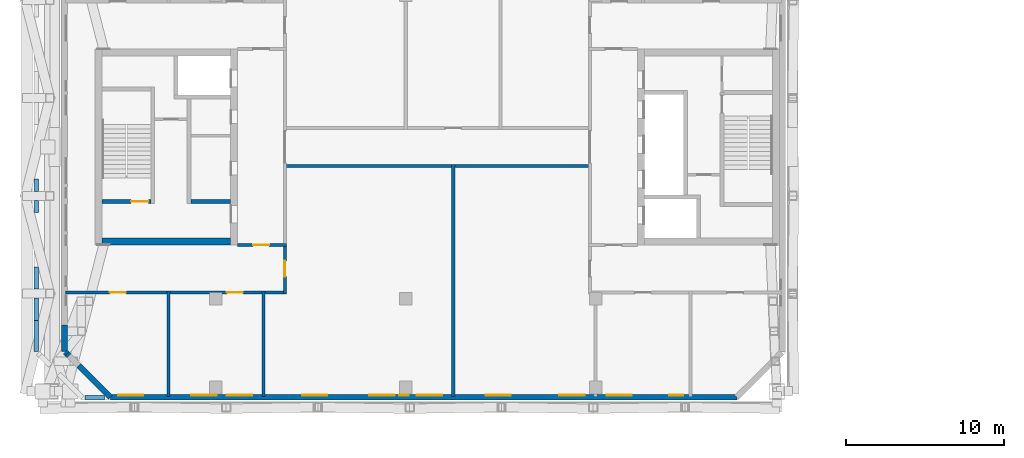
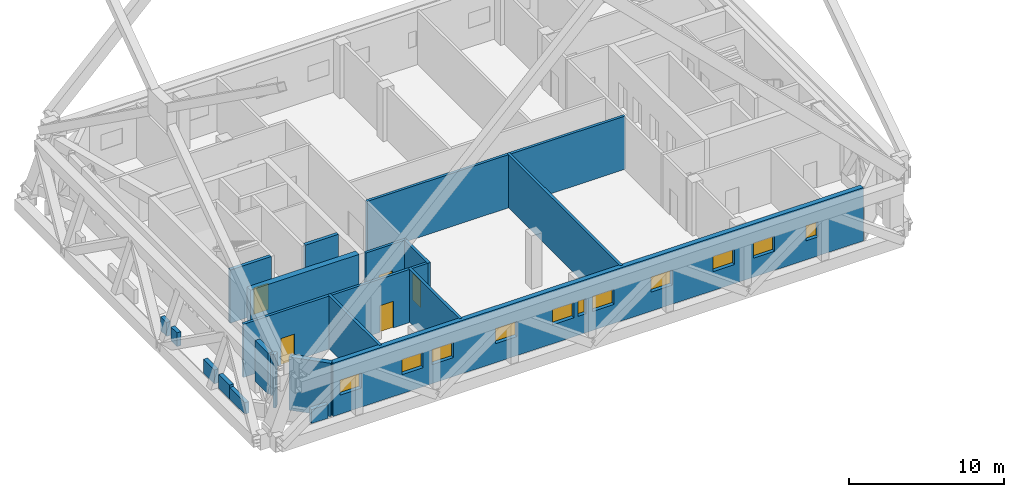
# One storey, part 7 of 20: 21 walls, 11 windows, 5 doors, 16 openings.
"""IFC4 building model written with IfcOpenShell, lengths in metres."""

from ifc_helpers import new_model, si_unit, direction, frame, frame_2d, origin, place, context, subcontext, project, spatial, rectangle, extrude, material, layer, layer_set, type_object, element, fill, save


model = new_model("IFC4")

# Units and contexts
model_context = context("Model", 3, precision=1e-05, world=origin(), true_north=direction((0.0, 1.0)))
body_context = subcontext(model_context, "Body", "Model", "MODEL_VIEW")
ifc_project = project(units=[si_unit("LENGTHUNIT", "METRE"), si_unit("AREAUNIT", "SQUARE_METRE"), si_unit("VOLUMEUNIT", "CUBIC_METRE"), si_unit("PLANEANGLEUNIT", "RADIAN"), si_unit("MASSUNIT", "GRAM", prefix="KILO")], contexts=[model_context])

# Site, building, storey
site_placement = place(None, origin())
site = spatial("IfcSite", under=ifc_project, at=site_placement, CompositionType="ELEMENT")
building_placement = place(site_placement, origin())
building = spatial("IfcBuilding", under=site, at=building_placement, Name="Tuart Gate Housing", CompositionType="ELEMENT")
storey_placement = place(building_placement, frame((0.0, 0.0, 167.10009765625)))
storey = spatial("IfcBuildingStorey", under=building, at=storey_placement, Name="L47", CompositionType="ELEMENT", Elevation=167.10009765625)

# Walls
ifc_material_1 = material(Name="Brick", Category="masonry")
ifc_layer_1 = layer(ifc_material_1, 0.300048828125)
ifc_layer_set_1 = layer_set([ifc_layer_1], Name="Brick parapet wall 300")
wall_type_1 = type_object("IfcWallType", Name="Brick parapet wall 300", PredefinedType="PARAPET", material=ifc_layer_set_1)
for number, where, z_axis, x_axis, name in (
    (1, (28.64990234375, 67.96826171875, 0.0), (0.0, 0.0, 1.0), (0.0, -1.0, 0.0), "Roof parapet A 3"),
    (2, (28.64990234375, 66.626953125, 0.0), (0.0, 0.0, 1.0), (0.0, -1.0, 0.0), "Roof parapet A 3"),
):
    element("IfcWall", number, at=place(storey_placement, frame(where, z_axis=z_axis, x_axis=x_axis)), inside=storey, type_object=wall_type_1, Name=name, PredefinedType="PARAPET", context=body_context, shape_type="SweptSolid", body=[
        extrude(rectangle(XDim=0.775146484375, YDim=0.300048828125, at=frame_2d((0.3876953125, 0.0))), origin(), (0.0, 0.0, 1.0), 1.099853515625),
    ])
for number, where, z_axis, x_axis, name in (
    (3, (28.64990234375, 62.416015625, 0.0), (0.0, 0.0, 1.0), (0.0, -1.0, 0.0), "Roof parapet A 3"),
    (4, (28.64990234375, 60.447021484375, 0.0), (0.0, 0.0, 1.0), (0.0, -1.0, 0.0), "Roof parapet A 3"),
):
    element("IfcWall", number, at=place(storey_placement, frame(where, z_axis=z_axis, x_axis=x_axis)), inside=storey, type_object=wall_type_1, Name=name, PredefinedType="PARAPET", context=body_context, shape_type="SweptSolid", body=[
        extrude(rectangle(XDim=1.403076171875, YDim=0.300048828125, at=frame_2d((0.70166015625, 0.0))), origin(), (0.0, 0.0, 1.0), 1.099853515625),
    ])
wall_1_placement = place(storey_placement, frame((28.64990234375, 59.0439453125, 0.0), z_axis=(0.0, 0.0, 1.0), x_axis=(0.0, -1.0, 0.0)))
element("IfcWall", 5, at=wall_1_placement, inside=storey, type_object=wall_type_1, Name="Roof parapet A 3", PredefinedType="PARAPET", context=body_context, shape_type="SweptSolid", body=[
    extrude(rectangle(XDim=1.98193359375, YDim=0.300048828125, at=frame_2d((0.990966796875, 0.0))), origin(), (0.0, 0.0, 1.0), 0.916259765625),
])
wall_2_placement = place(storey_placement, frame((31.714111328125, 54.14990234375, 0.0), z_axis=(0.0, 0.0, 1.0), x_axis=(1.0, 0.0, 0.0)))
element("IfcWall", 6, at=wall_2_placement, inside=storey, type_object=wall_type_1, Name="Roof parapet A 5", PredefinedType="PARAPET", context=body_context, shape_type="SweptSolid", body=[
    extrude(rectangle(XDim=1.23583984375, YDim=0.300048828125, at=frame_2d((0.617919921875, 0.0))), origin(), (0.0, 0.0, 1.0), 1.099853515625),
])
ifc_material_2 = material(Name="Brick", Category="masonry")
ifc_layer_2 = layer(ifc_material_2, 0.360107421875)
ifc_layer_set_2 = layer_set([ifc_layer_2], Name="Brick pier and spandrel wall 360")
wall_type_2 = type_object("IfcWallType", Name="Brick pier and spandrel wall 360", PredefinedType="STANDARD", material=ifc_layer_set_2)
wall_3_placement = place(storey_placement, frame((30.46533203125, 57.039306640625, 0.952880859375), z_axis=(0.0, 0.0, 1.0), x_axis=(0.707106781187, -0.707106781187, 0.0)))
element("IfcWall", 7, at=wall_3_placement, inside=storey, type_object=wall_type_2, Name="External wall A-SW L47", PredefinedType="STANDARD", context=body_context, shape_type="SweptSolid", body=[
    extrude(rectangle(XDim=0.158203125, YDim=0.360107421875, at=frame_2d((0.0791015625, 0.0))), origin(), (0.0, 0.0, 1.0), 3.2470703125),
])
wall_4_placement = place(storey_placement, frame((30.5771484375, 56.927490234375, 0.0), z_axis=(0.0, 0.0, 1.0), x_axis=(0.707106781187, -0.707106781187, 0.0)))
element("IfcWall", 8, at=wall_4_placement, inside=storey, type_object=wall_type_2, Name="External wall A-SW L47", PredefinedType="STANDARD", context=body_context, shape_type="SweptSolid", body=[
    extrude(rectangle(XDim=0.19091796875, YDim=0.360107421875, at=frame_2d((0.095458984375, 0.0))), origin(), (0.0, 0.0, 1.0), 4.199951171875),
])
wall_5_placement = place(storey_placement, frame((31.332763671875, 56.171875, 0.0), z_axis=(0.0, 0.0, 1.0), x_axis=(0.707106781187, -0.707106781187, 0.0)))
element("IfcWall", 9, at=wall_5_placement, inside=storey, type_object=wall_type_2, Name="External wall A-SW L47", PredefinedType="STANDARD", context=body_context, shape_type="SweptSolid", body=[
    extrude(rectangle(XDim=2.817138671875, YDim=0.360107421875, at=frame_2d((1.40869140625, 0.0))), origin(), (0.0, 0.0, 1.0), 4.199951171875),
])

# Wall, openings, windows
wall_6_placement = place(storey_placement, frame((33.32470703125, 54.179931640625, 0.0), z_axis=(0.0, 0.0, 1.0), x_axis=(1.0, 0.0, 0.0)))
wall_6 = element("IfcWall", 10, at=wall_6_placement, inside=storey, type_object=wall_type_2, Name="External wall A-S L47", PredefinedType="STANDARD", context=body_context, shape_type="SweptSolid", body=[
    extrude(rectangle(XDim=39.600830078125, YDim=0.360107421875, at=frame_2d((19.80029296875, 0.0))), origin(), (0.0, 0.0, 1.0), 4.199951171875),
])
opening_1_placement = place(wall_6_placement, frame((0.5, 0.0, 1.5)))
opening_1 = element("IfcOpeningElement", 11, at=opening_1_placement, cuts=wall_6, Name="Opening W3", PredefinedType="OPENING", context=body_context, shape_type="SweptSolid", body=[
    extrude(rectangle(XDim=1.60009765625, YDim=1.199951171875, at=frame_2d((0.800048828125, 0.60009765625))), frame((0.0, 0.18994140625, 0.0), z_axis=(0.0, -1.0, 0.0), x_axis=(1.0, 0.0, 0.0)), (0.0, 0.0, 1.0), 0.380126953125),
])
opening_2_placement = place(wall_6_placement, frame((5.12548828125, 0.0, 1.5)))
opening_2 = element("IfcOpeningElement", 12, at=opening_2_placement, cuts=wall_6, Name="Opening W3", PredefinedType="OPENING", context=body_context, shape_type="SweptSolid", body=[
    extrude(rectangle(XDim=1.60009765625, YDim=1.199951171875, at=frame_2d((0.800048828125, 0.60009765625))), frame((0.0, 0.18994140625, 0.0), z_axis=(0.0, -1.0, 0.0), x_axis=(1.0, 0.0, 0.0)), (0.0, 0.0, 1.0), 0.380126953125),
])
opening_3_placement = place(wall_6_placement, frame((7.37548828125, 0.0, 1.5)))
opening_3 = element("IfcOpeningElement", 13, at=opening_3_placement, cuts=wall_6, Name="Opening W3", PredefinedType="OPENING", context=body_context, shape_type="SweptSolid", body=[
    extrude(rectangle(XDim=1.60009765625, YDim=1.199951171875, at=frame_2d((0.800048828125, 0.60009765625))), frame((0.0, 0.18994140625, 0.0), z_axis=(0.0, -1.0, 0.0), x_axis=(1.0, 0.0, 0.0)), (0.0, 0.0, 1.0), 0.380126953125),
])
opening_4_placement = place(wall_6_placement, frame((12.12548828125, 0.0, 1.5)))
opening_4 = element("IfcOpeningElement", 14, at=opening_4_placement, cuts=wall_6, Name="Opening W3", PredefinedType="OPENING", context=body_context, shape_type="SweptSolid", body=[
    extrude(rectangle(XDim=1.60009765625, YDim=1.199951171875, at=frame_2d((0.800048828125, 0.60009765625))), frame((0.0, 0.18994140625, 0.0), z_axis=(0.0, -1.0, 0.0), x_axis=(1.0, 0.0, 0.0)), (0.0, 0.0, 1.0), 0.380126953125),
])
opening_5_placement = place(wall_6_placement, frame((18.275390625, 0.0, 1.5)))
opening_5 = element("IfcOpeningElement", 15, at=opening_5_placement, cuts=wall_6, Name="Opening W3C", PredefinedType="OPENING", context=body_context, shape_type="SweptSolid", body=[
    extrude(rectangle(XDim=0.60009765625, YDim=1.199951171875, at=frame_2d((0.300048828125, 0.60009765625))), frame((0.0, 0.18994140625, 0.0), z_axis=(0.0, -1.0, 0.0), x_axis=(1.0, 0.0, 0.0)), (0.0, 0.0, 1.0), 0.380126953125),
])
opening_6_placement = place(wall_6_placement, frame((16.37548828125, 0.0, 1.5)))
opening_6 = element("IfcOpeningElement", 16, at=opening_6_placement, cuts=wall_6, Name="Opening W3", PredefinedType="OPENING", context=body_context, shape_type="SweptSolid", body=[
    extrude(rectangle(XDim=1.60009765625, YDim=1.199951171875, at=frame_2d((0.800048828125, 0.60009765625))), frame((0.0, 0.18994140625, 0.0), z_axis=(0.0, -1.0, 0.0), x_axis=(1.0, 0.0, 0.0)), (0.0, 0.0, 1.0), 0.380126953125),
])
opening_7_placement = place(wall_6_placement, frame((19.37548828125, 0.0, 1.5)))
opening_7 = element("IfcOpeningElement", 17, at=opening_7_placement, cuts=wall_6, Name="Opening W3", PredefinedType="OPENING", context=body_context, shape_type="SweptSolid", body=[
    extrude(rectangle(XDim=1.60009765625, YDim=1.199951171875, at=frame_2d((0.800048828125, 0.60009765625))), frame((0.0, 0.18994140625, 0.0), z_axis=(0.0, -1.0, 0.0), x_axis=(1.0, 0.0, 0.0)), (0.0, 0.0, 1.0), 0.380126953125),
])
opening_8_placement = place(wall_6_placement, frame((23.725341796875, 0.0, 1.5)))
opening_8 = element("IfcOpeningElement", 18, at=opening_8_placement, cuts=wall_6, Name="Opening W3", PredefinedType="OPENING", context=body_context, shape_type="SweptSolid", body=[
    extrude(rectangle(XDim=1.60009765625, YDim=1.199951171875, at=frame_2d((0.800048828125, 0.60009765625))), frame((0.0, 0.18994140625, 0.0), z_axis=(0.0, -1.0, 0.0), x_axis=(1.0, 0.0, 0.0)), (0.0, 0.0, 1.0), 0.380126953125),
])
opening_9_placement = place(wall_6_placement, frame((28.37548828125, 0.0, 1.5)))
opening_9 = element("IfcOpeningElement", 19, at=opening_9_placement, cuts=wall_6, Name="Opening W3", PredefinedType="OPENING", context=body_context, shape_type="SweptSolid", body=[
    extrude(rectangle(XDim=1.60009765625, YDim=1.199951171875, at=frame_2d((0.800048828125, 0.60009765625))), frame((0.0, 0.18994140625, 0.0), z_axis=(0.0, -1.0, 0.0), x_axis=(1.0, 0.0, 0.0)), (0.0, 0.0, 1.0), 0.380126953125),
])
opening_10_placement = place(wall_6_placement, frame((31.37548828125, 0.0, 1.5)))
opening_10 = element("IfcOpeningElement", 20, at=opening_10_placement, cuts=wall_6, Name="Opening W3", PredefinedType="OPENING", context=body_context, shape_type="SweptSolid", body=[
    extrude(rectangle(XDim=1.60009765625, YDim=1.199951171875, at=frame_2d((0.800048828125, 0.60009765625))), frame((0.0, 0.18994140625, 0.0), z_axis=(0.0, -1.0, 0.0), x_axis=(1.0, 0.0, 0.0)), (0.0, 0.0, 1.0), 0.380126953125),
])
opening_11_placement = place(wall_6_placement, frame((35.325439453125, 0.0, 1.5)))
opening_11 = element("IfcOpeningElement", 21, at=opening_11_placement, cuts=wall_6, Name="Opening W3B", PredefinedType="OPENING", context=body_context, shape_type="SweptSolid", body=[
    extrude(rectangle(XDim=0.89990234375, YDim=1.199951171875, at=frame_2d((0.449951171875, 0.60009765625))), frame((0.0, 0.18994140625, 0.0), z_axis=(0.0, -1.0, 0.0), x_axis=(1.0, 0.0, 0.0)), (0.0, 0.0, 1.0), 0.380126953125),
])
ifc_material_3 = material(Name="Aluminium louvre blades", Category="aluminium")
window_type_1 = type_object("IfcWindowType", Name="Louvre window 1600 x 1200", PartitioningType="DOUBLE_PANEL_HORIZONTAL", PredefinedType="WINDOW", material=ifc_material_3)
window_1_placement = place(opening_1_placement, origin())
window_1 = element("IfcWindow", 22, at=window_1_placement, inside=storey, type_object=window_type_1, Name="Louvre W3", OverallHeight=1.199951171875, OverallWidth=1.60009765625, PartitioningType="DOUBLE_PANEL_HORIZONTAL", PredefinedType="WINDOW", context=body_context, shape_type="SweptSolid", body=[
    extrude(rectangle(XDim=1.60009765625, YDim=1.199951171875, at=frame_2d((0.800048828125, 0.60009765625))), frame((0.0, 0.150146484375, 0.0), z_axis=(0.0, -1.0, 0.0), x_axis=(1.0, 0.0, 0.0)), (0.0, 0.0, 1.0), 0.06005859375),
])
fill(opening_1, window_1)
window_2_placement = place(opening_2_placement, origin())
window_2 = element("IfcWindow", 23, at=window_2_placement, inside=storey, type_object=window_type_1, Name="Louvre W3", OverallHeight=1.199951171875, OverallWidth=1.60009765625, PartitioningType="DOUBLE_PANEL_HORIZONTAL", PredefinedType="WINDOW", context=body_context, shape_type="SweptSolid", body=[
    extrude(rectangle(XDim=1.60009765625, YDim=1.199951171875, at=frame_2d((0.800048828125, 0.60009765625))), frame((0.0, 0.150146484375, 0.0), z_axis=(0.0, -1.0, 0.0), x_axis=(1.0, 0.0, 0.0)), (0.0, 0.0, 1.0), 0.06005859375),
])
fill(opening_2, window_2)
window_3_placement = place(opening_3_placement, origin())
window_3 = element("IfcWindow", 24, at=window_3_placement, inside=storey, type_object=window_type_1, Name="Louvre W3", OverallHeight=1.199951171875, OverallWidth=1.60009765625, PartitioningType="DOUBLE_PANEL_HORIZONTAL", PredefinedType="WINDOW", context=body_context, shape_type="SweptSolid", body=[
    extrude(rectangle(XDim=1.60009765625, YDim=1.199951171875, at=frame_2d((0.800048828125, 0.60009765625))), frame((0.0, 0.150146484375, 0.0), z_axis=(0.0, -1.0, 0.0), x_axis=(1.0, 0.0, 0.0)), (0.0, 0.0, 1.0), 0.06005859375),
])
fill(opening_3, window_3)
window_4_placement = place(opening_4_placement, origin())
window_4 = element("IfcWindow", 25, at=window_4_placement, inside=storey, type_object=window_type_1, Name="Louvre W3", OverallHeight=1.199951171875, OverallWidth=1.60009765625, PartitioningType="DOUBLE_PANEL_HORIZONTAL", PredefinedType="WINDOW", context=body_context, shape_type="SweptSolid", body=[
    extrude(rectangle(XDim=1.60009765625, YDim=1.199951171875, at=frame_2d((0.800048828125, 0.60009765625))), frame((0.0, 0.150146484375, 0.0), z_axis=(0.0, -1.0, 0.0), x_axis=(1.0, 0.0, 0.0)), (0.0, 0.0, 1.0), 0.06005859375),
])
fill(opening_4, window_4)
window_5_placement = place(opening_6_placement, origin())
window_5 = element("IfcWindow", 26, at=window_5_placement, inside=storey, type_object=window_type_1, Name="Louvre W3", OverallHeight=1.199951171875, OverallWidth=1.60009765625, PartitioningType="DOUBLE_PANEL_HORIZONTAL", PredefinedType="WINDOW", context=body_context, shape_type="SweptSolid", body=[
    extrude(rectangle(XDim=1.60009765625, YDim=1.199951171875, at=frame_2d((0.800048828125, 0.60009765625))), frame((0.0, 0.150146484375, 0.0), z_axis=(0.0, -1.0, 0.0), x_axis=(1.0, 0.0, 0.0)), (0.0, 0.0, 1.0), 0.06005859375),
])
fill(opening_6, window_5)
window_6_placement = place(opening_7_placement, origin())
window_6 = element("IfcWindow", 27, at=window_6_placement, inside=storey, type_object=window_type_1, Name="Louvre W3", OverallHeight=1.199951171875, OverallWidth=1.60009765625, PartitioningType="DOUBLE_PANEL_HORIZONTAL", PredefinedType="WINDOW", context=body_context, shape_type="SweptSolid", body=[
    extrude(rectangle(XDim=1.60009765625, YDim=1.199951171875, at=frame_2d((0.800048828125, 0.60009765625))), frame((0.0, 0.150146484375, 0.0), z_axis=(0.0, -1.0, 0.0), x_axis=(1.0, 0.0, 0.0)), (0.0, 0.0, 1.0), 0.06005859375),
])
fill(opening_7, window_6)
window_7_placement = place(opening_8_placement, origin())
window_7 = element("IfcWindow", 28, at=window_7_placement, inside=storey, type_object=window_type_1, Name="Louvre W3", OverallHeight=1.199951171875, OverallWidth=1.60009765625, PartitioningType="DOUBLE_PANEL_HORIZONTAL", PredefinedType="WINDOW", context=body_context, shape_type="SweptSolid", body=[
    extrude(rectangle(XDim=1.60009765625, YDim=1.199951171875, at=frame_2d((0.800048828125, 0.60009765625))), frame((0.0, 0.150146484375, 0.0), z_axis=(0.0, -1.0, 0.0), x_axis=(1.0, 0.0, 0.0)), (0.0, 0.0, 1.0), 0.06005859375),
])
fill(opening_8, window_7)
window_8_placement = place(opening_9_placement, origin())
window_8 = element("IfcWindow", 29, at=window_8_placement, inside=storey, type_object=window_type_1, Name="Louvre W3", OverallHeight=1.199951171875, OverallWidth=1.60009765625, PartitioningType="DOUBLE_PANEL_HORIZONTAL", PredefinedType="WINDOW", context=body_context, shape_type="SweptSolid", body=[
    extrude(rectangle(XDim=1.60009765625, YDim=1.199951171875, at=frame_2d((0.800048828125, 0.60009765625))), frame((0.0, 0.150146484375, 0.0), z_axis=(0.0, -1.0, 0.0), x_axis=(1.0, 0.0, 0.0)), (0.0, 0.0, 1.0), 0.06005859375),
])
fill(opening_9, window_8)
window_9_placement = place(opening_10_placement, origin())
window_9 = element("IfcWindow", 30, at=window_9_placement, inside=storey, type_object=window_type_1, Name="Louvre W3", OverallHeight=1.199951171875, OverallWidth=1.60009765625, PartitioningType="DOUBLE_PANEL_HORIZONTAL", PredefinedType="WINDOW", context=body_context, shape_type="SweptSolid", body=[
    extrude(rectangle(XDim=1.60009765625, YDim=1.199951171875, at=frame_2d((0.800048828125, 0.60009765625))), frame((0.0, 0.150146484375, 0.0), z_axis=(0.0, -1.0, 0.0), x_axis=(1.0, 0.0, 0.0)), (0.0, 0.0, 1.0), 0.06005859375),
])
fill(opening_10, window_9)
ifc_material_4 = material(Name="Aluminium louvre blades", Category="aluminium")
window_type_2 = type_object("IfcWindowType", Name="Louvre window 600 x 1200", PartitioningType="DOUBLE_PANEL_HORIZONTAL", PredefinedType="WINDOW", material=ifc_material_4)
window_10_placement = place(opening_5_placement, origin())
window_10 = element("IfcWindow", 31, at=window_10_placement, inside=storey, type_object=window_type_2, Name="Louvre W3C", OverallHeight=1.199951171875, OverallWidth=0.60009765625, PartitioningType="DOUBLE_PANEL_HORIZONTAL", PredefinedType="WINDOW", context=body_context, shape_type="SweptSolid", body=[
    extrude(rectangle(XDim=0.60009765625, YDim=1.199951171875, at=frame_2d((0.300048828125, 0.60009765625))), frame((0.0, 0.150146484375, 0.0), z_axis=(0.0, -1.0, 0.0), x_axis=(1.0, 0.0, 0.0)), (0.0, 0.0, 1.0), 0.06005859375),
])
fill(opening_5, window_10)
ifc_material_5 = material(Name="Aluminium louvre blades", Category="aluminium")
window_type_3 = type_object("IfcWindowType", Name="Louvre window 900 x 1200", PartitioningType="DOUBLE_PANEL_HORIZONTAL", PredefinedType="WINDOW", material=ifc_material_5)
window_11_placement = place(opening_11_placement, origin())
window_11 = element("IfcWindow", 32, at=window_11_placement, inside=storey, type_object=window_type_3, Name="Louvre W3B", OverallHeight=1.199951171875, OverallWidth=0.89990234375, PartitioningType="DOUBLE_PANEL_HORIZONTAL", PredefinedType="WINDOW", context=body_context, shape_type="SweptSolid", body=[
    extrude(rectangle(XDim=0.89990234375, YDim=1.199951171875, at=frame_2d((0.449951171875, 0.60009765625))), frame((0.0, 0.150146484375, 0.0), z_axis=(0.0, -1.0, 0.0), x_axis=(1.0, 0.0, 0.0)), (0.0, 0.0, 1.0), 0.06005859375),
])
fill(opening_11, window_11)

# Walls
wall_7_placement = place(storey_placement, frame((30.429931640625, 58.75537109375, 0.952880859375), z_axis=(0.0, 0.0, 1.0), x_axis=(0.0, -1.0, 0.0)))
element("IfcWall", 33, at=wall_7_placement, inside=storey, type_object=wall_type_2, Name="External wall A-W L47", PredefinedType="STANDARD", context=body_context, shape_type="SweptSolid", body=[
    extrude(rectangle(XDim=1.680908203125, YDim=0.360107421875, at=frame_2d((0.84033203125, 0.0))), origin(), (0.0, 0.0, 1.0), 3.2470703125),
])
ifc_material_6 = material(Name="Concrete C40", Category="concrete")
ifc_layer_3 = layer(ifc_material_6, 0.25)
ifc_layer_set_3 = layer_set([ifc_layer_3], Name="Core wall 250 C40")
wall_type_3 = type_object("IfcWallType", Name="Core wall 250 C40", PredefinedType="SHEAR", material=ifc_layer_set_3)
wall_8_placement = place(storey_placement, frame((40.909912109375, 66.550048828125, 0.0), z_axis=(0.0, 0.0, 1.0), x_axis=(-1.0, 0.0, 0.0)))
element("IfcWall", 34, at=wall_8_placement, inside=storey, type_object=wall_type_3, Name="Core wall AK.5", PredefinedType="SHEAR", context=body_context, shape_type="SweptSolid", body=[
    extrude(rectangle(XDim=2.474853515625, YDim=0.25, at=frame_2d((1.2373046875, 0.0))), origin(), (0.0, 0.0, 1.0), 4.199951171875),
])

# Wall, opening, door
wall_9_placement = place(storey_placement, frame((35.885009765625, 66.550048828125, 0.0), z_axis=(0.0, 0.0, 1.0), x_axis=(-1.0, 0.0, 0.0)))
wall_9 = element("IfcWall", 35, at=wall_9_placement, inside=storey, type_object=wall_type_3, Name="Core wall AK.6", PredefinedType="SHEAR", context=body_context, shape_type="SweptSolid", body=[
    extrude(rectangle(XDim=3.074951171875, YDim=0.25, at=frame_2d((1.53759765625, 0.0))), origin(), (0.0, 0.0, 1.0), 4.199951171875),
])
opening_12_placement = place(wall_9_placement, frame((0.14990234375, 0.0, 0.0)))
opening_12 = element("IfcOpeningElement", 36, at=opening_12_placement, cuts=wall_9, Name="Opening D3457", PredefinedType="OPENING", context=body_context, shape_type="SweptSolid", body=[
    extrude(rectangle(XDim=1.10009765625, YDim=2.10009765625, at=frame_2d((0.550048828125, 1.050048828125))), frame((0.0, 0.135009765625, 0.0), z_axis=(0.0, -1.0, 0.0), x_axis=(1.0, 0.0, 0.0)), (0.0, 0.0, 1.0), 0.27001953125),
])
ifc_material_7 = material(Name="Steel fire door", Category="steel")
door_type_1 = type_object("IfcDoorType", Name="Stair door 1100 x 2100 RH", OperationType="SINGLE_SWING_RIGHT", PredefinedType="DOOR", material=ifc_material_7)
door_1_placement = place(opening_12_placement, frame((1.10009765625, 0.0, 0.0), z_axis=(0.0, 0.0, 1.0), x_axis=(-1.0, 0.0, 0.0)))
door_1 = element("IfcDoor", 37, at=door_1_placement, inside=storey, type_object=door_type_1, Name="Stair door AK.SD", OperationType="SINGLE_SWING_RIGHT", OverallHeight=2.10009765625, OverallWidth=1.10009765625, PredefinedType="DOOR", context=body_context, shape_type="SweptSolid", body=[
    extrude(rectangle(XDim=1.10009765625, YDim=2.10009765625, at=frame_2d((0.550048828125, 1.050048828125))), frame((0.0, 0.025146484375, 0.0), z_axis=(0.0, -1.0, 0.0), x_axis=(1.0, 0.0, 0.0)), (0.0, 0.0, 1.0), 0.050048828125),
])
fill(opening_12, door_1)

# Wall
ifc_material_8 = material(Name="Concrete C40", Category="concrete")
ifc_layer_4 = layer(ifc_material_8, 0.449951171875)
ifc_layer_set_4 = layer_set([ifc_layer_4], Name="Core wall 450 C40")
wall_type_4 = type_object("IfcWallType", Name="Core wall 450 C40", PredefinedType="SHEAR", material=ifc_layer_set_4)
wall_10_placement = place(storey_placement, frame((40.909912109375, 64.02490234375, 0.0), z_axis=(0.0, 0.0, 1.0), x_axis=(-1.0, 0.0, 0.0)))
element("IfcWall", 38, at=wall_10_placement, inside=storey, type_object=wall_type_4, Name="Core wall AK north", PredefinedType="SHEAR", context=body_context, shape_type="SweptSolid", body=[
    extrude(rectangle(XDim=8.099853515625, YDim=0.449951171875, at=frame_2d((4.0498046875, 0.0))), origin(), (0.0, 0.0, 1.0), 4.199951171875),
])

# Wall, openings, doors
ifc_material_9 = material(Name="Concrete masonry 15 MPa", Category="masonry")
ifc_layer_5 = layer(ifc_material_9, 0.199951171875)
ifc_layer_set_5 = layer_set([ifc_layer_5], Name="Enclosure wall masonry 200")
wall_type_5 = type_object("IfcWallType", Name="Enclosure wall masonry 200", PredefinedType="PARTITIONING", material=ifc_layer_set_5)
wall_11_placement = place(storey_placement, frame((30.489990234375, 60.800048828125, 0.0), z_axis=(0.0, 0.0, 1.0), x_axis=(1.0, 0.0, 0.0)))
wall_11 = element("IfcWall", 39, at=wall_11_placement, inside=storey, type_object=wall_type_5, Name="Enclosure wall masonry 200", PredefinedType="PARTITIONING", context=body_context, shape_type="SweptSolid", body=[
    extrude(rectangle(XDim=13.969970703125, YDim=0.199951171875, at=frame_2d((6.98486328125, 0.0))), origin(), (0.0, 0.0, 1.0), 4.199951171875),
])
opening_13_placement = place(wall_11_placement, frame((2.81494140625, 0.0, 0.0)))
opening_13 = element("IfcOpeningElement", 40, at=opening_13_placement, cuts=wall_11, Name="Opening D3462", PredefinedType="OPENING", context=body_context, shape_type="SweptSolid", body=[
    extrude(rectangle(XDim=1.0, YDim=2.10009765625, at=frame_2d((0.5, 1.050048828125))), frame((0.0, 0.10986328125, 0.0), z_axis=(0.0, -1.0, 0.0), x_axis=(1.0, 0.0, 0.0)), (0.0, 0.0, 1.0), 0.219970703125),
])
opening_14_placement = place(wall_11_placement, frame((10.2099609375, 0.0, 0.0)))
opening_14 = element("IfcOpeningElement", 41, at=opening_14_placement, cuts=wall_11, Name="Opening D3463", PredefinedType="OPENING", context=body_context, shape_type="SweptSolid", body=[
    extrude(rectangle(XDim=1.0, YDim=2.10009765625, at=frame_2d((0.5, 1.050048828125))), frame((0.0, 0.10986328125, 0.0), z_axis=(0.0, -1.0, 0.0), x_axis=(1.0, 0.0, 0.0)), (0.0, 0.0, 1.0), 0.219970703125),
])
ifc_material_10 = material(Name="Timber door leaf in steel frame", Category="steel")
door_type_2 = type_object("IfcDoorType", Name="Fire door 1000", OperationType="SINGLE_SWING_LEFT", PredefinedType="DOOR", material=ifc_material_10)
door_2_placement = place(opening_14_placement, frame((1.0, 0.0, 0.0), z_axis=(0.0, 0.0, 1.0), x_axis=(-1.0, 0.0, 0.0)))
door_2 = element("IfcDoor", 42, at=door_2_placement, inside=storey, type_object=door_type_2, Name="Fire door 1000", OperationType="SINGLE_SWING_LEFT", OverallHeight=2.10009765625, OverallWidth=1.0, PredefinedType="DOOR", context=body_context, shape_type="SweptSolid", body=[
    extrude(rectangle(XDim=1.0, YDim=2.10009765625, at=frame_2d((0.5, 1.050048828125))), frame((0.0, 0.025146484375, 0.0), z_axis=(0.0, -1.0, 0.0), x_axis=(1.0, 0.0, 0.0)), (0.0, 0.0, 1.0), 0.050048828125),
])
fill(opening_14, door_2)
ifc_material_11 = material(Name="Timber door leaf in steel frame", Category="steel")
door_type_3 = type_object("IfcDoorType", Name="Fire door 1000 RH", OperationType="SINGLE_SWING_RIGHT", PredefinedType="DOOR", material=ifc_material_11)
door_3_placement = place(opening_13_placement, frame((1.0, 0.0, 0.0), z_axis=(0.0, 0.0, 1.0), x_axis=(-1.0, 0.0, 0.0)))
door_3 = element("IfcDoor", 43, at=door_3_placement, inside=storey, type_object=door_type_3, Name="Fire door 1000", OperationType="SINGLE_SWING_RIGHT", OverallHeight=2.10009765625, OverallWidth=1.0, PredefinedType="DOOR", context=body_context, shape_type="SweptSolid", body=[
    extrude(rectangle(XDim=1.0, YDim=2.10009765625, at=frame_2d((0.5, 1.050048828125))), frame((0.0, 0.025146484375, 0.0), z_axis=(0.0, -1.0, 0.0), x_axis=(1.0, 0.0, 0.0)), (0.0, 0.0, 1.0), 0.050048828125),
])
fill(opening_13, door_3)

# Wall, opening, door
wall_12_placement = place(storey_placement, frame((41.360107421875, 63.800048828125, 0.0), z_axis=(0.0, 0.0, 1.0), x_axis=(1.0, 0.0, 0.0)))
wall_12 = element("IfcWall", 44, at=wall_12_placement, inside=storey, type_object=wall_type_5, Name="Enclosure wall masonry 200", PredefinedType="PARTITIONING", context=body_context, shape_type="SweptSolid", body=[
    extrude(rectangle(XDim=3.099853515625, YDim=0.199951171875, at=frame_2d((1.5498046875, 0.0))), origin(), (0.0, 0.0, 1.0), 4.199951171875),
])
opening_15_placement = place(wall_12_placement, frame((1.0, 0.0, 0.0)))
opening_15 = element("IfcOpeningElement", 45, at=opening_15_placement, cuts=wall_12, Name="Opening D3458", PredefinedType="OPENING", context=body_context, shape_type="SweptSolid", body=[
    extrude(rectangle(XDim=1.0, YDim=2.10009765625, at=frame_2d((0.5, 1.050048828125))), frame((0.0, 0.10986328125, 0.0), z_axis=(0.0, -1.0, 0.0), x_axis=(1.0, 0.0, 0.0)), (0.0, 0.0, 1.0), 0.219970703125),
])
ifc_material_12 = material(Name="Timber door leaf in steel frame", Category="steel")
door_type_4 = type_object("IfcDoorType", Name="Lobby door 1000", OperationType="SINGLE_SWING_LEFT", PredefinedType="DOOR", material=ifc_material_12)
door_4_placement = place(opening_15_placement, frame((1.0, 0.0, 0.0), z_axis=(0.0, 0.0, 1.0), x_axis=(-1.0, 0.0, 0.0)))
door_4 = element("IfcDoor", 46, at=door_4_placement, inside=storey, type_object=door_type_4, Name="Lobby door 1000", OperationType="SINGLE_SWING_LEFT", OverallHeight=2.10009765625, OverallWidth=1.0, PredefinedType="DOOR", context=body_context, shape_type="SweptSolid", body=[
    extrude(rectangle(XDim=1.0, YDim=2.10009765625, at=frame_2d((0.5, 1.050048828125))), frame((0.0, 0.025146484375, 0.0), z_axis=(0.0, -1.0, 0.0), x_axis=(1.0, 0.0, 0.0)), (0.0, 0.0, 1.0), 0.050048828125),
])
fill(opening_15, door_4)

# Walls
wall_13_placement = place(storey_placement, frame((44.360107421875, 68.800048828125, 0.0), z_axis=(0.0, 0.0, 1.0), x_axis=(1.0, 0.0, 0.0)))
element("IfcWall", 47, at=wall_13_placement, inside=storey, type_object=wall_type_5, Name="Enclosure wall masonry 200", PredefinedType="PARTITIONING", context=body_context, shape_type="SweptSolid", body=[
    extrude(rectangle(XDim=19.27978515625, YDim=0.199951171875, at=frame_2d((9.639892578125, 0.0))), origin(), (0.0, 0.0, 1.0), 4.199951171875),
])
for number, where, z_axis, x_axis, name in (
    (48, (37.0, 54.239990234375, 0.0), (0.0, 0.0, 1.0), (0.0, 1.0, 0.0), "Enclosure wall masonry 200"),
    (49, (43.0, 54.239990234375, 0.0), (0.0, 0.0, 1.0), (0.0, 1.0, 0.0), "Enclosure wall masonry 200"),
):
    element("IfcWall", number, at=place(storey_placement, frame(where, z_axis=z_axis, x_axis=x_axis)), inside=storey, type_object=wall_type_5, Name=name, PredefinedType="PARTITIONING", context=body_context, shape_type="SweptSolid", body=[
        extrude(rectangle(XDim=6.659912109375, YDim=0.199951171875, at=frame_2d((3.330078125, 0.0))), origin(), (0.0, 0.0, 1.0), 4.199951171875),
    ])

# Wall, opening, door
wall_14_placement = place(storey_placement, frame((44.360107421875, 60.699951171875, 0.0), z_axis=(0.0, 0.0, 1.0), x_axis=(0.0, 1.0, 0.0)))
wall_14 = element("IfcWall", 50, at=wall_14_placement, inside=storey, type_object=wall_type_5, Name="Enclosure wall masonry 200", PredefinedType="PARTITIONING", context=body_context, shape_type="SweptSolid", body=[
    extrude(rectangle(XDim=3.199951171875, YDim=0.199951171875, at=frame_2d((1.60009765625, 0.0))), origin(), (0.0, 0.0, 1.0), 4.199951171875),
])
opening_16_placement = place(wall_14_placement, frame((1.10009765625, 0.0, 0.0)))
opening_16 = element("IfcOpeningElement", 51, at=opening_16_placement, cuts=wall_14, Name="Opening D3460", PredefinedType="OPENING", context=body_context, shape_type="SweptSolid", body=[
    extrude(rectangle(XDim=1.0, YDim=2.10009765625, at=frame_2d((0.5, 1.050048828125))), frame((0.0, 0.10986328125, 0.0), z_axis=(0.0, -1.0, 0.0), x_axis=(1.0, 0.0, 0.0)), (0.0, 0.0, 1.0), 0.219970703125),
])
door_5_placement = place(opening_16_placement, frame((1.0, 0.0, 0.0), z_axis=(0.0, 0.0, 1.0), x_axis=(-1.0, 0.0, 0.0)))
door_5 = element("IfcDoor", 52, at=door_5_placement, inside=storey, type_object=door_type_2, Name="Fire door 1000", OperationType="SINGLE_SWING_LEFT", OverallHeight=2.10009765625, OverallWidth=1.0, PredefinedType="DOOR", context=body_context, shape_type="SweptSolid", body=[
    extrude(rectangle(XDim=1.0, YDim=2.10009765625, at=frame_2d((0.5, 1.050048828125))), frame((0.0, 0.025146484375, 0.0), z_axis=(0.0, -1.0, 0.0), x_axis=(1.0, 0.0, 0.0)), (0.0, 0.0, 1.0), 0.050048828125),
])
fill(opening_16, door_5)

# Wall
wall_15_placement = place(storey_placement, frame((55.0, 54.239990234375, 0.0), z_axis=(0.0, 0.0, 1.0), x_axis=(0.0, 1.0, 0.0)))
element("IfcWall", 53, at=wall_15_placement, inside=storey, type_object=wall_type_5, Name="Enclosure wall masonry 200", PredefinedType="PARTITIONING", context=body_context, shape_type="SweptSolid", body=[
    extrude(rectangle(XDim=14.659912109375, YDim=0.199951171875, at=frame_2d((7.330078125, 0.0))), origin(), (0.0, 0.0, 1.0), 4.199951171875),
])

save(model, "model.ifc")
